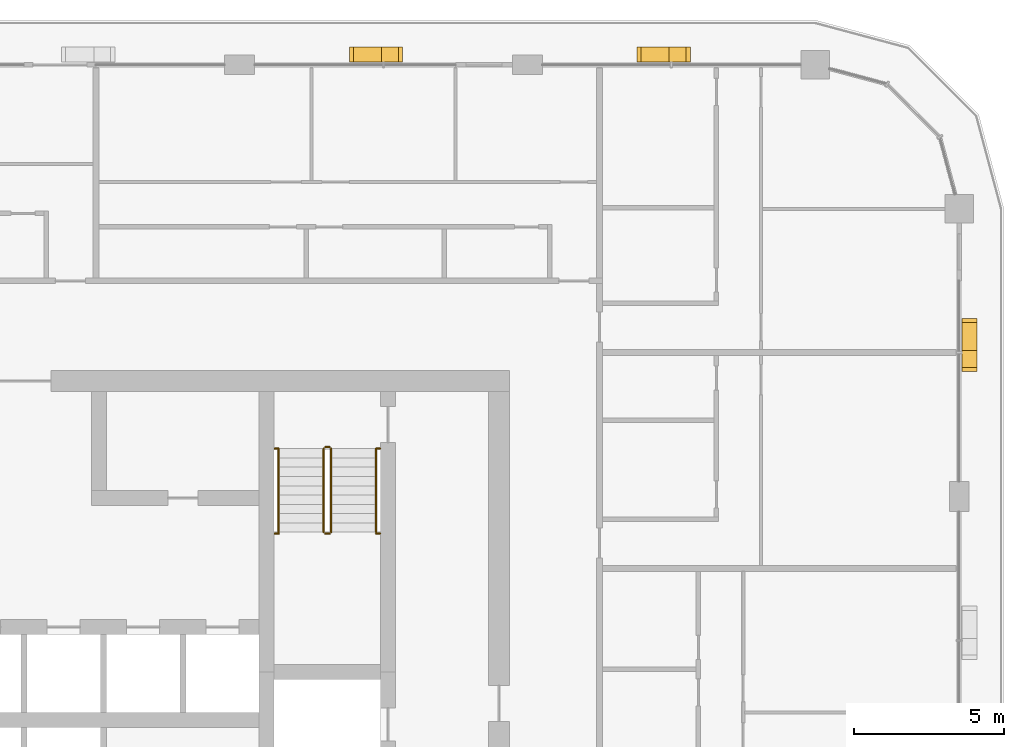
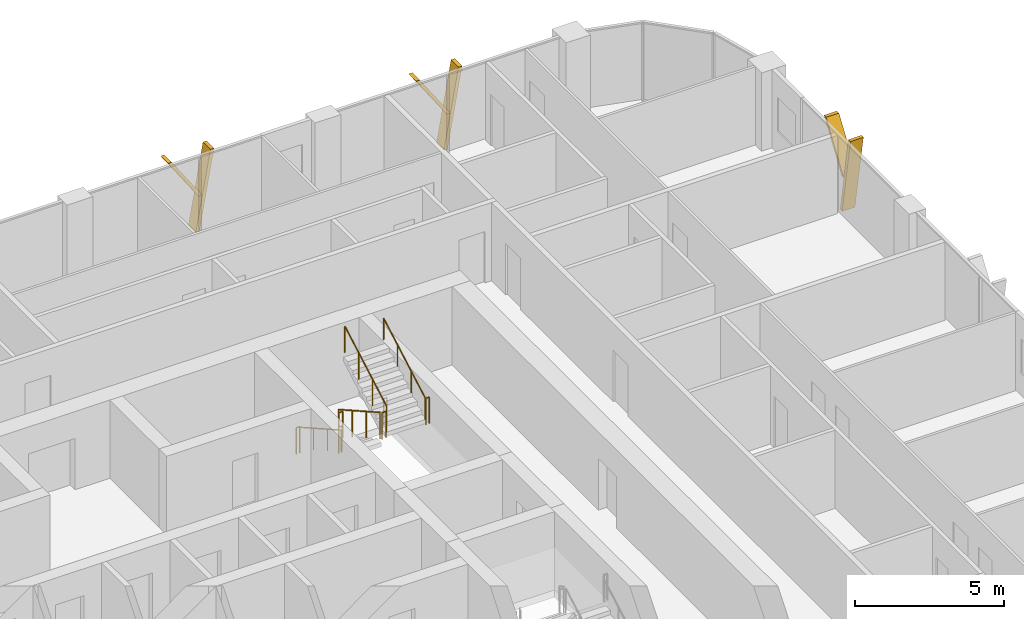
# One storey, part 21 of 21: 10 railings, 6 shading devices.
"""IFC4 building model written with IfcOpenShell, lengths in metres."""

from ifc_helpers import new_model, si_unit, direction, frame, origin, origin_2d, place, context, subcontext, project, spatial, polyline, circle, outline, extrude, material, type_object, element, save


model = new_model("IFC4")

# Units and contexts
model_context = context("Model", 3, precision=1e-05, world=origin(), true_north=direction((0.0, 1.0)))
body_context = subcontext(model_context, "Body", "Model", "MODEL_VIEW")
ifc_project = project(units=[si_unit("LENGTHUNIT", "METRE"), si_unit("AREAUNIT", "SQUARE_METRE"), si_unit("VOLUMEUNIT", "CUBIC_METRE"), si_unit("PLANEANGLEUNIT", "RADIAN"), si_unit("MASSUNIT", "GRAM", prefix="KILO")], contexts=[model_context])

# Site, building, storey
site_placement = place(None, origin())
site = spatial("IfcSite", under=ifc_project, at=site_placement, CompositionType="ELEMENT")
building_placement = place(site_placement, origin())
building = spatial("IfcBuilding", under=site, at=building_placement, Name="Madar Terraces", CompositionType="ELEMENT")
storey_placement = place(building_placement, frame((0.0, 0.0, 185.89990234375)))
storey = spatial("IfcBuildingStorey", under=building, at=storey_placement, Name="L48", CompositionType="ELEMENT", Elevation=185.89990234375)

# Shading devices
ifc_material_1 = material(Name="Aluminium, black anodised", Category="aluminium")
shading_device_type = type_object("IfcShadingDeviceType", Name="Facade fin blade 140 x 500", PredefinedType="USERDEFINED", material=ifc_material_1)
shading_device_1_placement = place(storey_placement, frame((62.75, 38.330078125, 0.0), z_axis=(0.0, 0.0, 1.0), x_axis=(0.0, 1.0, 0.0)))
element("IfcShadingDevice", 1, at=shading_device_1_placement, inside=storey, type_object=shading_device_type, Name="FIN L48 E4", ObjectType="FIN", PredefinedType="USERDEFINED", context=body_context, shape_type="SweptSolid", body=[
    extrude(outline(polyline([(0.0, 0.0), (0.139892578125, 0.0), (-0.42431640625, 3.2001953125), (-0.564208984375, 3.2001953125), (0.0, 0.0)])), frame((0.0, 0.25, 0.0), z_axis=(0.0, -1.0, 0.0), x_axis=(1.0, 0.0, 0.0)), (0.0, 0.0, 1.0), 0.5),
])
shading_device_2_placement = place(storey_placement, frame((62.75, 38.216064453125, 1.440185546875), z_axis=(0.0, 0.0, 1.0), x_axis=(0.0, 1.0, 0.0)))
element("IfcShadingDevice", 2, at=shading_device_2_placement, inside=storey, type_object=shading_device_type, Name="FIN L48 E4 branch", ObjectType="FIN", PredefinedType="USERDEFINED", context=body_context, shape_type="SweptSolid", body=[
    extrude(outline(polyline([(0.0, 0.0), (0.14013671875, 0.0), (1.32958984375, 1.760009765625), (1.189697265625, 1.760009765625), (0.0, 0.0)])), frame((0.0, 0.25, 0.0), z_axis=(0.0, -1.0, 0.0), x_axis=(1.0, 0.0, 0.0)), (0.0, 0.0, 1.0), 0.5),
])
shading_device_3_placement = place(storey_placement, frame((52.8701171875, 48.35009765625, 0.0), z_axis=(0.0, 0.0, 1.0), x_axis=(-1.0, 0.0, 0.0)))
element("IfcShadingDevice", 3, at=shading_device_3_placement, inside=storey, type_object=shading_device_type, Name="FIN L48 N1", ObjectType="FIN", PredefinedType="USERDEFINED", context=body_context, shape_type="SweptSolid", body=[
    extrude(outline(polyline([(0.0, 0.0), (0.14013671875, 0.0), (-0.42431640625, 3.2001953125), (-0.564208984375, 3.2001953125), (0.0, 0.0)])), frame((0.0, 0.25, 0.0), z_axis=(0.0, -1.0, 0.0), x_axis=(1.0, 0.0, 0.0)), (0.0, 0.0, 1.0), 0.5),
])
shading_device_4_placement = place(storey_placement, frame((52.98388671875, 48.35009765625, 1.440185546875), z_axis=(0.0, 0.0, 1.0), x_axis=(-1.0, 0.0, 0.0)))
element("IfcShadingDevice", 4, at=shading_device_4_placement, inside=storey, type_object=shading_device_type, Name="FIN L48 N1 branch", ObjectType="FIN", PredefinedType="USERDEFINED", context=body_context, shape_type="SweptSolid", body=[
    extrude(outline(polyline([(0.0, 0.0), (0.139892578125, 0.0), (1.32958984375, 1.760009765625), (1.189697265625, 1.760009765625), (0.0, 0.0)])), frame((0.0, 0.25, 0.0), z_axis=(0.0, -1.0, 0.0), x_axis=(1.0, 0.0, 0.0)), (0.0, 0.0, 1.0), 0.5),
])
shading_device_5_placement = place(storey_placement, frame((43.27001953125, 48.35009765625, 0.0), z_axis=(0.0, 0.0, 1.0), x_axis=(-1.0, 0.0, 0.0)))
element("IfcShadingDevice", 5, at=shading_device_5_placement, inside=storey, type_object=shading_device_type, Name="FIN L48 N2", ObjectType="FIN", PredefinedType="USERDEFINED", context=body_context, shape_type="SweptSolid", body=[
    extrude(outline(polyline([(0.0, 0.0), (0.14013671875, 0.0), (-0.42431640625, 3.2001953125), (-0.564208984375, 3.2001953125), (0.0, 0.0)])), frame((0.0, 0.25, 0.0), z_axis=(0.0, -1.0, 0.0), x_axis=(1.0, 0.0, 0.0)), (0.0, 0.0, 1.0), 0.5),
])
shading_device_6_placement = place(storey_placement, frame((43.3837890625, 48.35009765625, 1.440185546875), z_axis=(0.0, 0.0, 1.0), x_axis=(-1.0, 0.0, 0.0)))
element("IfcShadingDevice", 6, at=shading_device_6_placement, inside=storey, type_object=shading_device_type, Name="FIN L48 N2 branch", ObjectType="FIN", PredefinedType="USERDEFINED", context=body_context, shape_type="SweptSolid", body=[
    extrude(outline(polyline([(0.0, 0.0), (0.139892578125, 0.0), (1.32958984375, 1.760009765625), (1.189697265625, 1.760009765625), (0.0, 0.0)])), frame((0.0, 0.25, 0.0), z_axis=(0.0, -1.0, 0.0), x_axis=(1.0, 0.0, 0.0)), (0.0, 0.0, 1.0), 0.5),
])

# Railings
ifc_material_2 = material(Name="Stainless steel railing", Category="steel")
railing_type_1 = type_object("IfcRailingType", Name="Stair guard 1100", PredefinedType="GUARDRAIL", material=ifc_material_2)
railing_1_placement = place(storey_placement, frame((41.199951171875, 35.199951171875, 0.175048828125)))
element("IfcRailing", 7, at=railing_1_placement, inside=storey, type_object=railing_type_1, Name="L48 ST2 stair guard 1", PredefinedType="GUARDRAIL", context=body_context, shape_type="SweptSolid", body=[
    extrude(circle(Radius=0.02392578125, at=origin_2d()), frame((0.0, 0.0, 1.076171875), z_axis=(0.0, -0.870833779661, 0.491577591232), x_axis=(1.0, 0.0, 0.0)), (0.0, 0.0, 1.0), 3.203857421875),
    extrude(circle(Radius=0.02099609375, at=origin_2d()), origin(), (0.0, 0.0, 1.0), 1.052001953125),
    extrude(circle(Radius=0.02099609375, at=origin_2d()), frame((0.0, -0.929931640625, 0.52490234375)), (0.0, 0.0, 1.0), 1.052001953125),
    extrude(circle(Radius=0.02099609375, at=origin_2d()), frame((0.0, -1.860107421875, 1.050048828125)), (0.0, 0.0, 1.0), 1.052001953125),
    extrude(circle(Radius=0.02099609375, at=origin_2d()), frame((0.0, -2.7900390625, 1.574951171875)), (0.0, 0.0, 1.0), 1.052001953125),
])
railing_2_placement = place(storey_placement, frame((41.25, 32.360107421875, 1.75)))
element("IfcRailing", 8, at=railing_2_placement, inside=storey, type_object=railing_type_1, Name="L48 ST2 stair guard 2", PredefinedType="GUARDRAIL", context=body_context, shape_type="SweptSolid", body=[
    extrude(circle(Radius=0.02392578125, at=origin_2d()), frame((0.0, 0.0, 1.076171875), z_axis=(1.0, 0.0, 0.0), x_axis=(0.0, 1.0, 0.0)), (0.0, 0.0, 1.0), 0.14990234375),
    extrude(circle(Radius=0.02099609375, at=origin_2d()), origin(), (0.0, 0.0, 1.0), 1.052001953125),
    extrude(circle(Radius=0.02099609375, at=origin_2d()), frame((0.14990234375, 0.0, 0.0)), (0.0, 0.0, 1.0), 1.052001953125),
])
railing_3_placement = place(storey_placement, frame((41.449951171875, 32.409912109375, 1.925048828125)))
element("IfcRailing", 9, at=railing_3_placement, inside=storey, type_object=railing_type_1, Name="L48 ST2 stair guard 3", PredefinedType="GUARDRAIL", context=body_context, shape_type="SweptSolid", body=[
    extrude(circle(Radius=0.02392578125, at=origin_2d()), frame((0.0, 0.0, 1.076171875), z_axis=(0.0, 0.870833779661, 0.491577591232), x_axis=(-1.0, 0.0, 0.0)), (0.0, 0.0, 1.0), 3.203857421875),
    extrude(circle(Radius=0.02099609375, at=origin_2d()), origin(), (0.0, 0.0, 1.0), 1.052001953125),
    extrude(circle(Radius=0.02099609375, at=origin_2d()), frame((0.0, 0.929931640625, 0.52490234375)), (0.0, 0.0, 1.0), 1.052001953125),
    extrude(circle(Radius=0.02099609375, at=origin_2d()), frame((0.0, 1.860107421875, 1.050048828125)), (0.0, 0.0, 1.0), 1.052001953125),
    extrude(circle(Radius=0.02099609375, at=origin_2d()), frame((0.0, 2.7900390625, 1.574951171875)), (0.0, 0.0, 1.0), 1.052001953125),
])
railing_4_placement = place(storey_placement, frame((41.25, 35.25, 0.0)))
element("IfcRailing", 10, at=railing_4_placement, inside=storey, type_object=railing_type_1, Name="L48 ST2 stair guard 4", PredefinedType="GUARDRAIL", context=body_context, shape_type="SweptSolid", body=[
    extrude(circle(Radius=0.02392578125, at=origin_2d()), frame((0.0, 0.0, 1.076171875), z_axis=(1.0, 0.0, 0.0), x_axis=(0.0, 1.0, 0.0)), (0.0, 0.0, 1.0), 0.14990234375),
    extrude(circle(Radius=0.02099609375, at=origin_2d()), origin(), (0.0, 0.0, 1.0), 1.052001953125),
    extrude(circle(Radius=0.02099609375, at=origin_2d()), frame((0.14990234375, 0.0, 0.0)), (0.0, 0.0, 1.0), 1.052001953125),
])
railing_5_placement = place(storey_placement, frame((39.570068359375, 32.360107421875, 1.75)))
element("IfcRailing", 11, at=railing_5_placement, inside=storey, type_object=railing_type_1, Name="L48 stair guard seat 1", PredefinedType="GUARDRAIL", context=body_context, shape_type="SweptSolid", body=[
    extrude(circle(Radius=0.02392578125, at=origin_2d()), frame((0.0, 0.0, 1.076171875), z_axis=(1.0, 0.0, 0.0), x_axis=(0.0, 1.0, 0.0)), (0.0, 0.0, 1.0), 0.1298828125),
    extrude(circle(Radius=0.02099609375, at=origin_2d()), origin(), (0.0, 0.0, 1.0), 1.052001953125),
    extrude(circle(Radius=0.02099609375, at=origin_2d()), frame((0.1298828125, 0.0, 0.0)), (0.0, 0.0, 1.0), 1.052001953125),
])
railing_6_placement = place(storey_placement, frame((42.949951171875, 32.360107421875, 1.75)))
element("IfcRailing", 12, at=railing_6_placement, inside=storey, type_object=railing_type_1, Name="L48 stair guard seat 2", PredefinedType="GUARDRAIL", context=body_context, shape_type="SweptSolid", body=[
    extrude(circle(Radius=0.02392578125, at=origin_2d()), frame((0.0, 0.0, 1.076171875), z_axis=(1.0, 0.0, 0.0), x_axis=(0.0, 1.0, 0.0)), (0.0, 0.0, 1.0), 0.130126953125),
    extrude(circle(Radius=0.02099609375, at=origin_2d()), origin(), (0.0, 0.0, 1.0), 1.052001953125),
    extrude(circle(Radius=0.02099609375, at=origin_2d()), frame((0.130126953125, 0.0, 0.0)), (0.0, 0.0, 1.0), 1.052001953125),
])
railing_7_placement = place(storey_placement, frame((39.570068359375, 35.199951171875, 0.0)))
element("IfcRailing", 13, at=railing_7_placement, inside=storey, type_object=railing_type_1, Name="L48 stair guard floor 1", PredefinedType="GUARDRAIL", context=body_context, shape_type="SweptSolid", body=[
    extrude(circle(Radius=0.02392578125, at=origin_2d()), frame((0.0, 0.0, 1.076171875), z_axis=(1.0, 0.0, 0.0), x_axis=(0.0, 1.0, 0.0)), (0.0, 0.0, 1.0), 0.1298828125),
    extrude(circle(Radius=0.02099609375, at=origin_2d()), origin(), (0.0, 0.0, 1.0), 1.052001953125),
    extrude(circle(Radius=0.02099609375, at=origin_2d()), frame((0.1298828125, 0.0, 0.0)), (0.0, 0.0, 1.0), 1.052001953125),
])
railing_8_placement = place(storey_placement, frame((42.949951171875, 35.199951171875, 0.0)))
element("IfcRailing", 14, at=railing_8_placement, inside=storey, type_object=railing_type_1, Name="L48 stair guard floor 2", PredefinedType="GUARDRAIL", context=body_context, shape_type="SweptSolid", body=[
    extrude(circle(Radius=0.02392578125, at=origin_2d()), frame((0.0, 0.0, 1.076171875), z_axis=(1.0, 0.0, 0.0), x_axis=(0.0, 1.0, 0.0)), (0.0, 0.0, 1.0), 0.130126953125),
    extrude(circle(Radius=0.02099609375, at=origin_2d()), origin(), (0.0, 0.0, 1.0), 1.052001953125),
    extrude(circle(Radius=0.02099609375, at=origin_2d()), frame((0.130126953125, 0.0, 0.0)), (0.0, 0.0, 1.0), 1.052001953125),
])
ifc_material_3 = material(Name="Stainless steel railing", Category="steel")
railing_type_2 = type_object("IfcRailingType", Name="Stair handrail 900", PredefinedType="HANDRAIL", material=ifc_material_3)
railing_9_placement = place(storey_placement, frame((39.699951171875, 35.199951171875, 0.175048828125)))
element("IfcRailing", 15, at=railing_9_placement, inside=storey, type_object=railing_type_2, Name="L48 ST2 stair handrail 1", PredefinedType="HANDRAIL", context=body_context, shape_type="SweptSolid", body=[
    extrude(circle(Radius=0.02392578125, at=origin_2d()), frame((0.0, 0.0, 0.8759765625), z_axis=(0.0, -0.870833779661, 0.491577591232), x_axis=(1.0, 0.0, 0.0)), (0.0, 0.0, 1.0), 3.203857421875),
    extrude(circle(Radius=0.02099609375, at=origin_2d()), origin(), (0.0, 0.0, 1.0), 0.851806640625),
    extrude(circle(Radius=0.02099609375, at=origin_2d()), frame((0.0, -0.929931640625, 0.52490234375)), (0.0, 0.0, 1.0), 0.851806640625),
    extrude(circle(Radius=0.02099609375, at=origin_2d()), frame((0.0, -1.860107421875, 1.050048828125)), (0.0, 0.0, 1.0), 0.851806640625),
    extrude(circle(Radius=0.02099609375, at=origin_2d()), frame((0.0, -2.7900390625, 1.574951171875)), (0.0, 0.0, 1.0), 0.851806640625),
])
railing_10_placement = place(storey_placement, frame((42.949951171875, 32.409912109375, 1.925048828125)))
element("IfcRailing", 16, at=railing_10_placement, inside=storey, type_object=railing_type_2, Name="L48 ST2 stair handrail 2", PredefinedType="HANDRAIL", context=body_context, shape_type="SweptSolid", body=[
    extrude(circle(Radius=0.02392578125, at=origin_2d()), frame((0.0, 0.0, 0.8759765625), z_axis=(0.0, 0.870833779661, 0.491577591232), x_axis=(-1.0, 0.0, 0.0)), (0.0, 0.0, 1.0), 3.203857421875),
    extrude(circle(Radius=0.02099609375, at=origin_2d()), origin(), (0.0, 0.0, 1.0), 0.851806640625),
    extrude(circle(Radius=0.02099609375, at=origin_2d()), frame((0.0, 0.929931640625, 0.52490234375)), (0.0, 0.0, 1.0), 0.851806640625),
    extrude(circle(Radius=0.02099609375, at=origin_2d()), frame((0.0, 1.860107421875, 1.050048828125)), (0.0, 0.0, 1.0), 0.851806640625),
    extrude(circle(Radius=0.02099609375, at=origin_2d()), frame((0.0, 2.7900390625, 1.574951171875)), (0.0, 0.0, 1.0), 0.851806640625),
])

save(model, "model.ifc")
